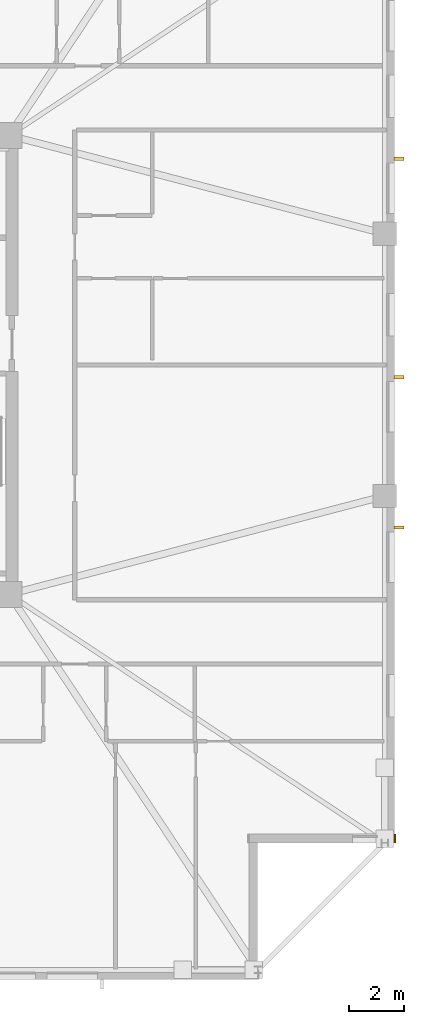
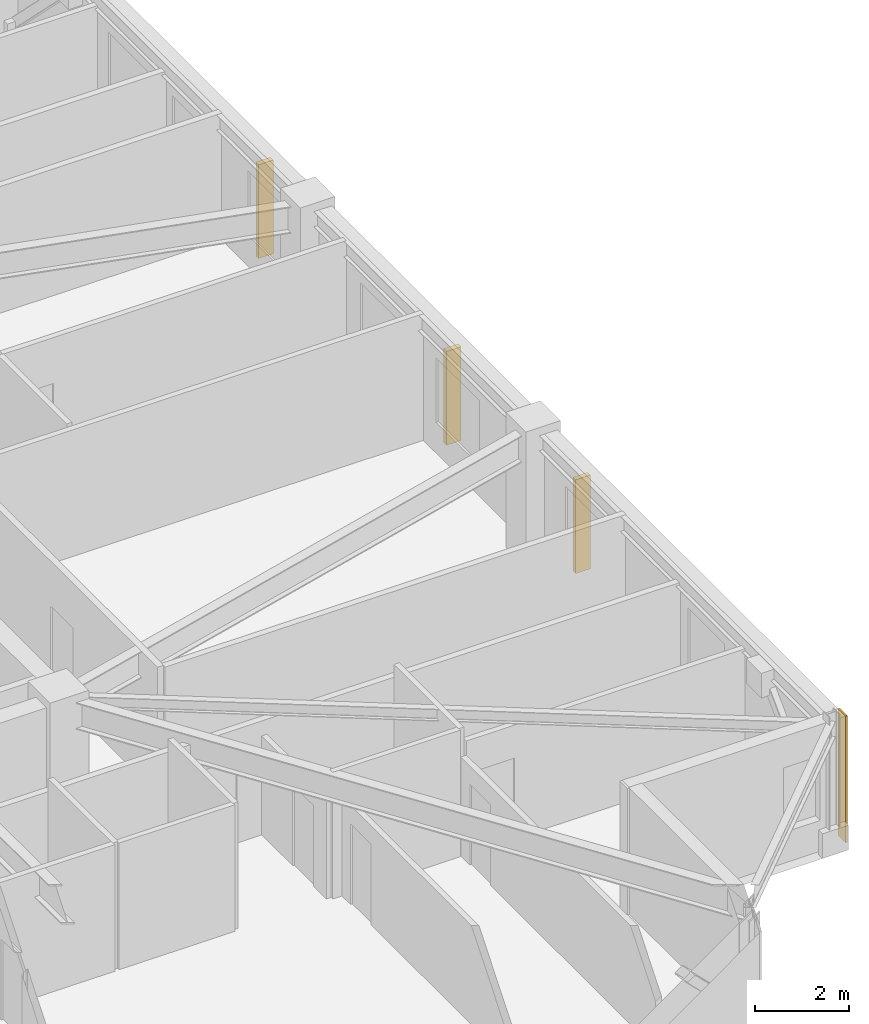
# One storey, part 15 of 17: 3 shading devices, 1 covering.
"""IFC4 building model written with IfcOpenShell, lengths in metres."""

from ifc_helpers import new_model, si_unit, direction, frame, frame_2d, origin, origin_2d, place, context, subcontext, project, spatial, rectangle, extrude, material, layer, layer_set, type_object, element, save


model = new_model("IFC4")

# Units and contexts
model_context = context("Model", 3, precision=1e-05, world=origin(), true_north=direction((0.0, 1.0)))
body_context = subcontext(model_context, "Body", "Model", "MODEL_VIEW")
ifc_project = project(units=[si_unit("LENGTHUNIT", "METRE"), si_unit("AREAUNIT", "SQUARE_METRE"), si_unit("VOLUMEUNIT", "CUBIC_METRE"), si_unit("PLANEANGLEUNIT", "RADIAN"), si_unit("MASSUNIT", "GRAM", prefix="KILO")], contexts=[model_context])

# Site, building, storey
site_placement = place(None, origin())
site = spatial("IfcSite", under=ifc_project, at=site_placement, CompositionType="ELEMENT")
building_placement = place(site_placement, origin())
building = spatial("IfcBuilding", under=site, at=building_placement, Name="Cairnveth Concourse Tower", CompositionType="ELEMENT")
storey_placement = place(building_placement, frame((0.0, 0.0, 202.5)))
storey = spatial("IfcBuildingStorey", under=building, at=storey_placement, Name="L55", CompositionType="ELEMENT", Elevation=202.5)

# Covering
ifc_material_1 = material(Name="Dressed Melbourne Bluestone Cladding", Category="masonry")
ifc_layer = layer(ifc_material_1, 0.050048828125)
ifc_layer_set = layer_set([ifc_layer], Name="Dressed Melbourne Bluestone Cladding")
covering_type = type_object("IfcCoveringType", Name="DRESSED BLUESTONE PLINTH CLADDING 50", PredefinedType="CLADDING", material=ifc_layer_set)
covering_placement = place(storey_placement, frame((74.52001953125, 21.820068359375, 0.0), z_axis=(0.0, 0.0, 1.0), x_axis=(0.0, -1.0, 0.0)))
element("IfcCovering", 1, at=covering_placement, inside=storey, type_object=covering_type, Name="Melbourne Bluestone Corner Quoin L55-819", PredefinedType="CLADDING", context=body_context, shape_type="SweptSolid", body=[
    extrude(rectangle(XDim=0.320068359375, YDim=0.050048828125, at=frame_2d((0.16015625, 0.0))), origin(), (0.0, 0.0, 1.0), 3.2900390625),
])

# Shading devices
ifc_material_2 = material(Name="Architectural Bronze Anodised Aluminium 6063-T6", Category="aluminium")
shading_device_type = type_object("IfcShadingDeviceType", Name="GOTHIC BRONZE VERTICAL LANCET FIN", PredefinedType="USERDEFINED", material=ifc_material_2)
for number, where, z_axis, x_axis, name in (
    (2, (74.675048828125, 46.546875, 0.030029296875), (0.0, 0.0, 1.0), (0.0, 1.0, 0.0), "Gothic Bronze Vertical Fin L55-3-3"),
    (3, (74.675048828125, 38.54638671875, 0.030029296875), (0.0, 0.0, 1.0), (0.0, 1.0, 0.0), "Gothic Bronze Vertical Fin L55-3-5"),
    (4, (74.675048828125, 33.0458984375, 0.030029296875), (0.0, 0.0, 1.0), (0.0, 1.0, 0.0), "Gothic Bronze Vertical Fin L55-3-7"),
):
    element("IfcShadingDevice", number, at=place(storey_placement, frame(where, z_axis=z_axis, x_axis=x_axis)), inside=storey, type_object=shading_device_type, Name=name, ObjectType="VERTICAL FIN", PredefinedType="USERDEFINED", context=body_context, shape_type="SweptSolid", body=[
        extrude(rectangle(XDim=0.1201171875, YDim=0.360107421875, at=origin_2d()), origin(), (0.0, 0.0, 1.0), 2.43798828125),
    ])

save(model, "model.ifc")
